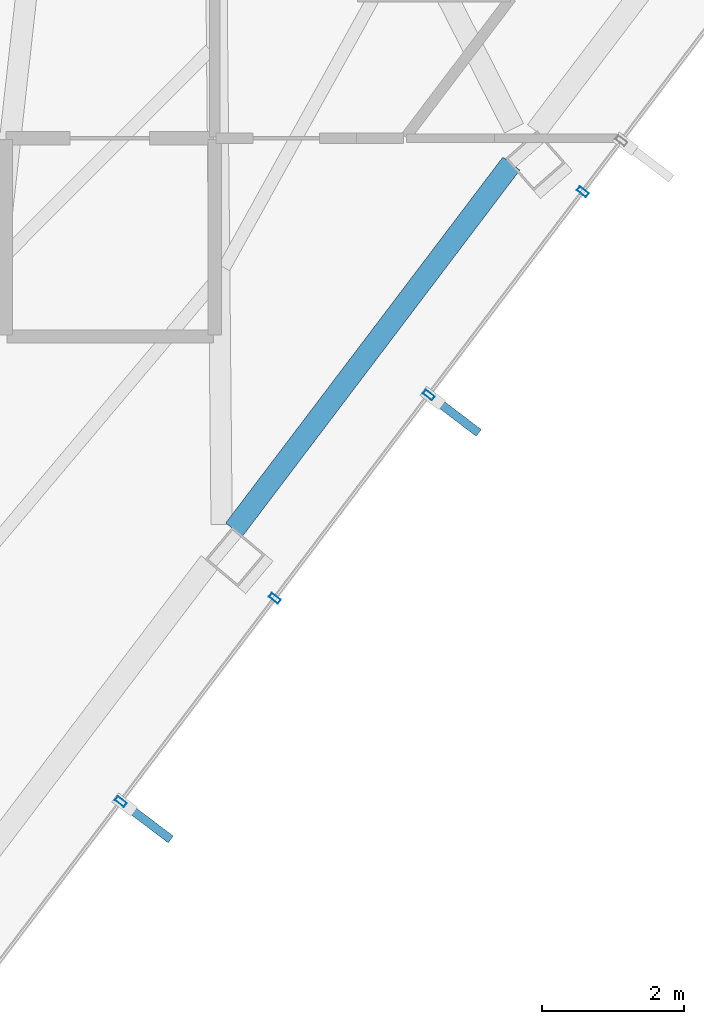
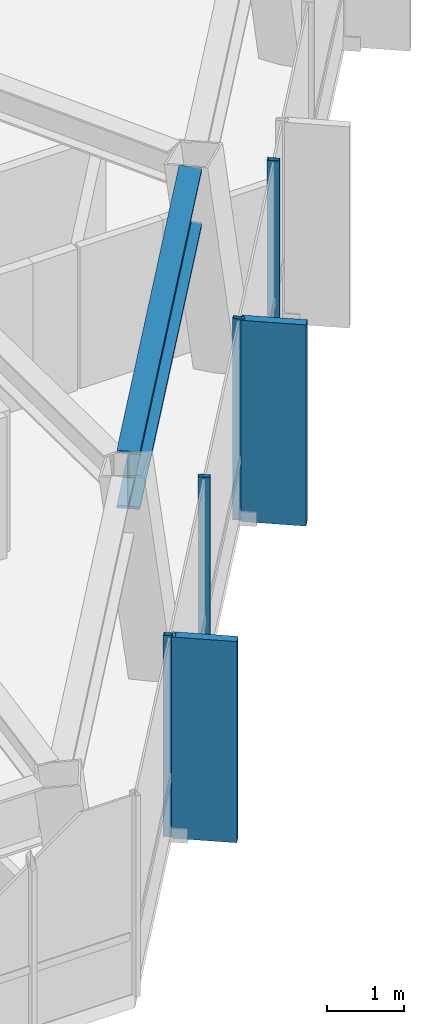
# One storey, part 16 of 27: 6 members, 1 beam, 1 element without a shape of its own.
"""IFC4 building model written with IfcOpenShell, lengths in metres."""

from ifc_helpers import new_model, si_unit, direction, frame, origin, origin_2d, place, context, subcontext, project, spatial, rectangle, hollow_rectangle, i_section, extrude, material, layer, layer_set, material_profile, profile_set, type_object, element, aggregate, save


model = new_model("IFC4")

# Units and contexts
model_context = context("Model", 3, precision=1e-05, world=origin(), true_north=direction((0.0, 1.0)))
body_context = subcontext(model_context, "Body", "Model", "MODEL_VIEW")
ifc_project = project(units=[si_unit("LENGTHUNIT", "METRE"), si_unit("AREAUNIT", "SQUARE_METRE"), si_unit("VOLUMEUNIT", "CUBIC_METRE"), si_unit("PLANEANGLEUNIT", "RADIAN"), si_unit("MASSUNIT", "GRAM", prefix="KILO")], contexts=[model_context])

# Site, building, storey
site_placement = place(None, origin())
site = spatial("IfcSite", under=ifc_project, at=site_placement, CompositionType="ELEMENT")
building_placement = place(site_placement, origin())
building = spatial("IfcBuilding", under=site, at=building_placement, Name="Zarrinselat Tower", CompositionType="ELEMENT")
storey_placement = place(building_placement, frame((0.0, 0.0, 215.56005859375)))
storey = spatial("IfcBuildingStorey", under=building, at=storey_placement, Name="L53", CompositionType="ELEMENT", Elevation=215.56005859375)

# Beam
ifc_material_1 = material(Name="Steel S460M", Category="steel")
ifc_material_profile_1 = material_profile(ifc_material_1, i_section(OverallWidth=0.302001953125, OverallDepth=0.909912109375, WebThickness=0.02099609375, FlangeThickness=0.0400390625, at=origin_2d()), Name="HEM 900")
ifc_profile_set_1 = profile_set([ifc_material_profile_1], Name="Steel S460M")
beam_type = type_object("IfcBeamType", Name="BM-HEM900", PredefinedType="BEAM", material=ifc_profile_set_1)
beam_placement = place(storey_placement, frame((48.62451171875, 24.623779296875, 2.724853515625), z_axis=(0.603836664651, 0.797108074494, 0.0), x_axis=(-0.797108074494, 0.603836664651, 0.0)))
element("IfcBeam", 1, at=beam_placement, inside=storey, type_object=beam_type, Name="L53 Perimeter Spandrel Girder SP12", PredefinedType="BEAM", context=body_context, shape_type="SweptSolid", body=[
    extrude(i_section(OverallWidth=0.302001953125, OverallDepth=0.909912109375, WebThickness=0.02099609375, FlangeThickness=0.0400390625, at=origin_2d()), origin(), (0.0, 0.0, 1.0), 6.484130859375),
])

# Curtain wall, members
ifc_material_2 = material(Name="Extruded Aluminium Alloy EN AW-6063 T6", Category="aluminium")
ifc_layer = layer(ifc_material_2, 0.169921875)
ifc_layer_set = layer_set([ifc_layer], Name="Extruded Aluminium Alloy EN AW-6063 T6")
curtain_wall_type = type_object("IfcCurtainWallType", Name="CWS-RES", PredefinedType="NOTDEFINED", material=ifc_layer_set)
curtain_wall_placement = place(storey_placement, origin())
curtain_wall = element("IfcCurtainWall", 2, at=curtain_wall_placement, inside=storey, type_object=curtain_wall_type, Name="L53 Unitised Curtain Wall CW-L53-E05", PredefinedType="NOTDEFINED")
ifc_material_3 = material(Name="Extruded Aluminium Alloy EN AW-6063 T6", Category="aluminium")
ifc_material_profile_2 = material_profile(ifc_material_3, hollow_rectangle(XDim=0.070068359375, YDim=0.159912109375, WallThickness=0.00390625, at=origin_2d()), Name="RHS 160x70x4")
ifc_profile_set_2 = profile_set([ifc_material_profile_2], Name="Extruded Aluminium Alloy EN AW-6063 T6")
member_type_1 = type_object("IfcMemberType", Name="MEM-CW-MUL2", PredefinedType="MULLION", material=ifc_profile_set_2)
member_1_placement = place(storey_placement, frame((47.02392578125, 20.781494140625, 0.0), z_axis=(0.0, 0.0, 1.0), x_axis=(0.603859492128, 0.797090781384, 0.0)))
member_1 = element("IfcMember", 3, at=member_1_placement, type_object=member_type_1, Name="CW-L53-E05 Mullion 1", PredefinedType="MULLION", context=body_context, shape_type="SweptSolid", body=[
    extrude(hollow_rectangle(XDim=0.070068359375, YDim=0.159912109375, WallThickness=0.00390625, at=origin_2d()), origin(), (0.0, 0.0, 1.0), 3.179931640625),
])
member_2_placement = place(storey_placement, frame((49.19873046875, 23.65234375, 0.0), z_axis=(0.0, 0.0, 1.0), x_axis=(0.603859492128, 0.797090781384, 0.0)))
member_2 = element("IfcMember", 4, at=member_2_placement, type_object=member_type_1, Name="CW-L53-E05 Mullion 2", PredefinedType="MULLION", context=body_context, shape_type="SweptSolid", body=[
    extrude(hollow_rectangle(XDim=0.070068359375, YDim=0.159912109375, WallThickness=0.00390625, at=origin_2d()), origin(), (0.0, 0.0, 1.0), 3.179931640625),
])
member_3_placement = place(storey_placement, frame((51.373779296875, 26.523193359375, 0.0), z_axis=(0.0, 0.0, 1.0), x_axis=(0.603859492128, 0.797090781384, 0.0)))
member_3 = element("IfcMember", 5, at=member_3_placement, type_object=member_type_1, Name="CW-L53-E05 Mullion 3", PredefinedType="MULLION", context=body_context, shape_type="SweptSolid", body=[
    extrude(hollow_rectangle(XDim=0.070068359375, YDim=0.159912109375, WallThickness=0.00390625, at=origin_2d()), origin(), (0.0, 0.0, 1.0), 3.179931640625),
])
member_4_placement = place(storey_placement, frame((53.548583984375, 29.39404296875, 0.0), z_axis=(0.0, 0.0, 1.0), x_axis=(0.603859492128, 0.797090781384, 0.0)))
member_4 = element("IfcMember", 6, at=member_4_placement, type_object=member_type_1, Name="CW-L53-E05 Mullion 4", PredefinedType="MULLION", context=body_context, shape_type="SweptSolid", body=[
    extrude(hollow_rectangle(XDim=0.070068359375, YDim=0.159912109375, WallThickness=0.00390625, at=origin_2d()), origin(), (0.0, 0.0, 1.0), 3.179931640625),
])
ifc_material_4 = material(Name="Honed Cream Travertine Stone", Category="masonry")
ifc_material_profile_3 = material_profile(ifc_material_4, rectangle(XDim=0.1201171875, YDim=0.85009765625, at=origin_2d()), Name="FIN 850x120")
ifc_profile_set_3 = profile_set([ifc_material_profile_3], Name="Honed Cream Travertine Stone")
member_type_2 = type_object("IfcMemberType", Name="MEM-STONE-FIN", PredefinedType="USERDEFINED", material=ifc_profile_set_3)
member_5_placement = place(storey_placement, frame((47.390625, 20.503662109375, 0.0), z_axis=(0.0, 0.0, 1.0), x_axis=(-0.603859492128, -0.797090781384, 0.0)))
member_5 = element("IfcMember", 7, at=member_5_placement, type_object=member_type_2, Name="L53 Stone Shading Fin CW-L53-E05-01", ObjectType="FIN", PredefinedType="USERDEFINED", context=body_context, shape_type="SweptSolid", body=[
    extrude(rectangle(XDim=0.1201171875, YDim=0.85009765625, at=origin_2d()), origin(), (0.0, 0.0, 1.0), 3.179931640625),
])
member_6_placement = place(storey_placement, frame((51.740478515625, 26.245361328125, 0.0), z_axis=(0.0, 0.0, 1.0), x_axis=(-0.603859492128, -0.797090781384, 0.0)))
member_6 = element("IfcMember", 8, at=member_6_placement, type_object=member_type_2, Name="L53 Stone Shading Fin CW-L53-E05-03", ObjectType="FIN", PredefinedType="USERDEFINED", context=body_context, shape_type="SweptSolid", body=[
    extrude(rectangle(XDim=0.1201171875, YDim=0.85009765625, at=origin_2d()), origin(), (0.0, 0.0, 1.0), 3.179931640625),
])
aggregate(curtain_wall, [member_1, member_5, member_2, member_3, member_6, member_4])

save(model, "model.ifc")
